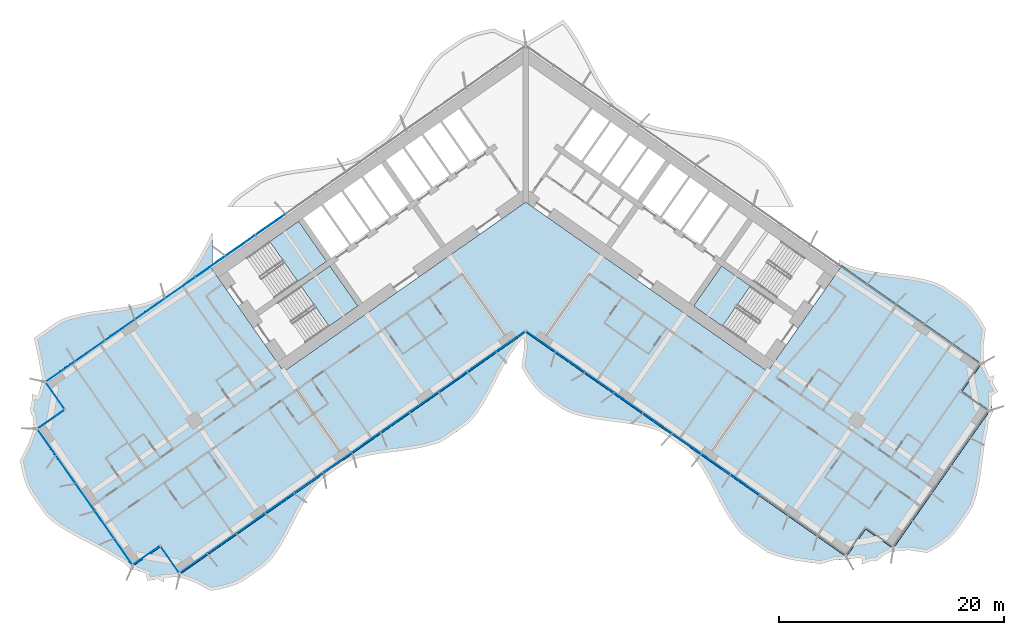
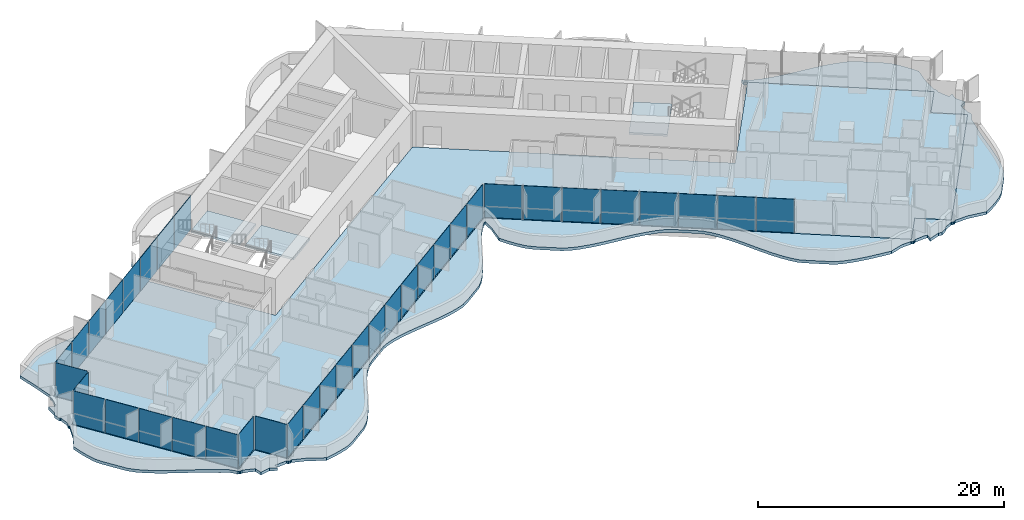
# One storey, part 10 of 23: 37 plates, 5 slabs, 5 elements without a shape of their own.
"""IFC4 building model written with IfcOpenShell, lengths in metres."""

from ifc_helpers import new_model, si_unit, direction, frame, origin, origin_2d, place, context, subcontext, project, spatial, polyline, rectangle, outline, extrude, material, layer, layer_set, type_object, element, aggregate, save


model = new_model("IFC4")

# Units and contexts
model_context = context("Model", 3, precision=1e-05, world=origin(), true_north=direction((0.0, 1.0)))
body_context = subcontext(model_context, "Body", "Model", "MODEL_VIEW")
ifc_project = project(units=[si_unit("LENGTHUNIT", "METRE"), si_unit("AREAUNIT", "SQUARE_METRE"), si_unit("VOLUMEUNIT", "CUBIC_METRE"), si_unit("PLANEANGLEUNIT", "RADIAN"), si_unit("MASSUNIT", "GRAM", prefix="KILO")], contexts=[model_context])

# Site, building, storey
site_placement = place(None, origin())
site = spatial("IfcSite", under=ifc_project, at=site_placement, CompositionType="ELEMENT")
building_placement = place(site_placement, origin())
building = spatial("IfcBuilding", under=site, at=building_placement, Name="Tel Ilan Convention Tower", CompositionType="ELEMENT")
storey_placement = place(building_placement, frame((0.0, 0.0, 83.300048828125)))
storey = spatial("IfcBuildingStorey", under=building, at=storey_placement, Name="L16", CompositionType="ELEMENT", Elevation=83.300048828125)

# Curtain wall, plates
ifc_material_1 = material(Name="Aluminium, bronze anodised", Category="aluminium")
curtain_wall_type_1 = type_object("IfcCurtainWallType", Name="CW1 UNITISED CURTAIN WALL, HOTEL TINTED GLASS", PredefinedType="NOTDEFINED", material=ifc_material_1)
curtain_wall_1_placement = place(storey_placement, origin())
curtain_wall_1 = element("IfcCurtainWall", 1, at=curtain_wall_1_placement, inside=storey, type_object=curtain_wall_type_1, Name="Curtain wall CW1-15.02", PredefinedType="NOTDEFINED")
ifc_material_2 = material(Name="Glass, bronze tinted, two-ply unitised", Category="glass")
ifc_layer_1 = layer(ifc_material_2, 0.028076171875)
ifc_layer_set_1 = layer_set([ifc_layer_1], Name="CW HOTEL GLASS PANEL 28")
plate_type_1 = type_object("IfcPlateType", Name="CW HOTEL GLASS PANEL 28", PredefinedType="CURTAIN_PANEL", material=ifc_layer_set_1)
plate_1_placement = place(storey_placement, frame((-30.765869140625, -8.846435546875, 0.0), z_axis=(0.0, 0.0, 1.0), x_axis=(-0.819152044289, -0.573576436351, 0.0)))
plate_1 = element("IfcPlate", 2, at=plate_1_placement, type_object=plate_type_1, Name="Glass panel", PredefinedType="CURTAIN_PANEL", context=body_context, shape_type="SweptSolid", body=[
    extrude(rectangle(XDim=3.2119140625, YDim=0.028076171875, at=origin_2d()), origin(), (0.0, 0.0, 1.0), 3.320068359375),
])
plate_2_placement = place(storey_placement, frame((-33.446044921875, -10.72314453125, 0.0), z_axis=(0.0, 0.0, 1.0), x_axis=(-0.819152044289, -0.573576436351, 0.0)))
plate_2 = element("IfcPlate", 3, at=plate_2_placement, type_object=plate_type_1, Name="Glass panel", PredefinedType="CURTAIN_PANEL", context=body_context, shape_type="SweptSolid", body=[
    extrude(rectangle(XDim=3.2119140625, YDim=0.028076171875, at=origin_2d()), origin(), (0.0, 0.0, 1.0), 3.320068359375),
])
plate_3_placement = place(storey_placement, frame((-36.12646484375, -12.599853515625, 0.0), z_axis=(0.0, 0.0, 1.0), x_axis=(-0.819152044289, -0.573576436351, 0.0)))
plate_3 = element("IfcPlate", 4, at=plate_3_placement, type_object=plate_type_1, Name="Glass panel", PredefinedType="CURTAIN_PANEL", context=body_context, shape_type="SweptSolid", body=[
    extrude(rectangle(XDim=3.2119140625, YDim=0.028076171875, at=origin_2d()), origin(), (0.0, 0.0, 1.0), 3.320068359375),
])
plate_4_placement = place(storey_placement, frame((-38.806640625, -14.4765625, 0.0), z_axis=(0.0, 0.0, 1.0), x_axis=(-0.819152044289, -0.573576436351, 0.0)))
plate_4 = element("IfcPlate", 5, at=plate_4_placement, type_object=plate_type_1, Name="Glass panel", PredefinedType="CURTAIN_PANEL", context=body_context, shape_type="SweptSolid", body=[
    extrude(rectangle(XDim=3.2119140625, YDim=0.028076171875, at=origin_2d()), origin(), (0.0, 0.0, 1.0), 3.320068359375),
])
plate_5_placement = place(storey_placement, frame((-41.448486328125, -16.326416015625, 0.0), z_axis=(0.0, 0.0, 1.0), x_axis=(-0.819152044289, -0.573576436351, 0.0)))
plate_5 = element("IfcPlate", 6, at=plate_5_placement, type_object=plate_type_1, Name="Glass panel", PredefinedType="CURTAIN_PANEL", context=body_context, shape_type="SweptSolid", body=[
    extrude(rectangle(XDim=3.117919921875, YDim=0.028076171875, at=origin_2d()), origin(), (0.0, 0.0, 1.0), 3.320068359375),
])
plate_6_placement = place(storey_placement, frame((-41.90673828125, -18.431640625, 0.0), z_axis=(0.0, 0.0, 1.0), x_axis=(0.573576436351, -0.819152044289, 0.0)))
plate_6 = element("IfcPlate", 7, at=plate_6_placement, type_object=plate_type_1, Name="Glass panel", PredefinedType="CURTAIN_PANEL", context=body_context, shape_type="SweptSolid", body=[
    extrude(rectangle(XDim=2.875, YDim=0.028076171875, at=origin_2d()), origin(), (0.0, 0.0, 1.0), 3.320068359375),
])
plate_7_placement = place(storey_placement, frame((-42.28466796875, -20.57421875, 0.0), z_axis=(0.0, 0.0, 1.0), x_axis=(-0.819152044289, -0.573576436351, 0.0)))
plate_7 = element("IfcPlate", 8, at=plate_7_placement, type_object=plate_type_1, Name="Glass panel", PredefinedType="CURTAIN_PANEL", context=body_context, shape_type="SweptSolid", body=[
    extrude(rectangle(XDim=2.875, YDim=0.028076171875, at=origin_2d()), origin(), (0.0, 0.0, 1.0), 3.320068359375),
])
plate_8_placement = place(storey_placement, frame((-42.65185546875, -22.597900390625, 0.0), z_axis=(0.0, 0.0, 1.0), x_axis=(0.573576436351, -0.819152044289, 0.0)))
plate_8 = element("IfcPlate", 9, at=plate_8_placement, type_object=plate_type_1, Name="Glass panel", PredefinedType="CURTAIN_PANEL", context=body_context, shape_type="SweptSolid", body=[
    extrude(rectangle(XDim=2.845947265625, YDim=0.028076171875, at=origin_2d()), origin(), (0.0, 0.0, 1.0), 3.320068359375),
])
plate_9_placement = place(storey_placement, frame((-40.9580078125, -25.016845703125, 0.0), z_axis=(0.0, 0.0, 1.0), x_axis=(0.573576436351, -0.819152044289, 0.0)))
plate_9 = element("IfcPlate", 10, at=plate_9_placement, type_object=plate_type_1, Name="Glass panel", PredefinedType="CURTAIN_PANEL", context=body_context, shape_type="SweptSolid", body=[
    extrude(rectangle(XDim=2.93994140625, YDim=0.028076171875, at=origin_2d()), origin(), (0.0, 0.0, 1.0), 3.320068359375),
])
plate_10_placement = place(storey_placement, frame((-39.2373046875, -27.474365234375, 0.0), z_axis=(0.0, 0.0, 1.0), x_axis=(0.573576436351, -0.819152044289, 0.0)))
plate_10 = element("IfcPlate", 11, at=plate_10_placement, type_object=plate_type_1, Name="Glass panel", PredefinedType="CURTAIN_PANEL", context=body_context, shape_type="SweptSolid", body=[
    extrude(rectangle(XDim=2.93994140625, YDim=0.028076171875, at=origin_2d()), origin(), (0.0, 0.0, 1.0), 3.320068359375),
])
plate_11_placement = place(storey_placement, frame((-37.5166015625, -29.931884765625, 0.0), z_axis=(0.0, 0.0, 1.0), x_axis=(0.573576436351, -0.819152044289, 0.0)))
plate_11 = element("IfcPlate", 12, at=plate_11_placement, type_object=plate_type_1, Name="Glass panel", PredefinedType="CURTAIN_PANEL", context=body_context, shape_type="SweptSolid", body=[
    extrude(rectangle(XDim=2.93994140625, YDim=0.028076171875, at=origin_2d()), origin(), (0.0, 0.0, 1.0), 3.320068359375),
])
plate_12_placement = place(storey_placement, frame((-35.822998046875, -32.350830078125, 0.0), z_axis=(0.0, 0.0, 1.0), x_axis=(0.573576436351, -0.819152044289, 0.0)))
plate_12 = element("IfcPlate", 13, at=plate_12_placement, type_object=plate_type_1, Name="Glass panel", PredefinedType="CURTAIN_PANEL", context=body_context, shape_type="SweptSolid", body=[
    extrude(rectangle(XDim=2.845947265625, YDim=0.028076171875, at=origin_2d()), origin(), (0.0, 0.0, 1.0), 3.320068359375),
])
plate_13_placement = place(storey_placement, frame((-33.795654296875, -32.69775390625, 0.0), z_axis=(0.0, 0.0, 1.0), x_axis=(0.819152044289, 0.573576436351, 0.0)))
plate_13 = element("IfcPlate", 14, at=plate_13_placement, type_object=plate_type_1, Name="Glass panel", PredefinedType="CURTAIN_PANEL", context=body_context, shape_type="SweptSolid", body=[
    extrude(rectangle(XDim=2.875, YDim=0.028076171875, at=origin_2d()), origin(), (0.0, 0.0, 1.0), 3.320068359375),
])
plate_14_placement = place(storey_placement, frame((-31.653076171875, -33.07568359375, 0.0), z_axis=(0.0, 0.0, 1.0), x_axis=(0.573576436351, -0.819152044289, 0.0)))
plate_14 = element("IfcPlate", 15, at=plate_14_placement, type_object=plate_type_1, Name="Glass panel", PredefinedType="CURTAIN_PANEL", context=body_context, shape_type="SweptSolid", body=[
    extrude(rectangle(XDim=2.875, YDim=0.028076171875, at=origin_2d()), origin(), (0.0, 0.0, 1.0), 3.320068359375),
])
plate_15_placement = place(storey_placement, frame((-29.5732421875, -33.4033203125, 0.0), z_axis=(0.0, 0.0, 1.0), x_axis=(0.819152044289, 0.573576436351, 0.0)))
plate_15 = element("IfcPlate", 16, at=plate_15_placement, type_object=plate_type_1, Name="Glass panel", PredefinedType="CURTAIN_PANEL", context=body_context, shape_type="SweptSolid", body=[
    extrude(rectangle(XDim=2.9833984375, YDim=0.028076171875, at=origin_2d()), origin(), (0.0, 0.0, 1.0), 3.320068359375),
])
plate_16_placement = place(storey_placement, frame((-27.041748046875, -31.630859375, 0.0), z_axis=(0.0, 0.0, 1.0), x_axis=(0.819152044289, 0.573576436351, 0.0)))
plate_16 = element("IfcPlate", 17, at=plate_16_placement, type_object=plate_type_1, Name="Glass panel", PredefinedType="CURTAIN_PANEL", context=body_context, shape_type="SweptSolid", body=[
    extrude(rectangle(XDim=3.077392578125, YDim=0.028076171875, at=origin_2d()), origin(), (0.0, 0.0, 1.0), 3.320068359375),
])
plate_17_placement = place(storey_placement, frame((-24.4716796875, -29.831298828125, 0.0), z_axis=(0.0, 0.0, 1.0), x_axis=(0.819152044289, 0.573576436351, 0.0)))
plate_17 = element("IfcPlate", 18, at=plate_17_placement, type_object=plate_type_1, Name="Glass panel", PredefinedType="CURTAIN_PANEL", context=body_context, shape_type="SweptSolid", body=[
    extrude(rectangle(XDim=3.077392578125, YDim=0.028076171875, at=origin_2d()), origin(), (0.0, 0.0, 1.0), 3.320068359375),
])
plate_18_placement = place(storey_placement, frame((-21.90185546875, -28.031982421875, 0.0), z_axis=(0.0, 0.0, 1.0), x_axis=(0.819152044289, 0.573576436351, 0.0)))
plate_18 = element("IfcPlate", 19, at=plate_18_placement, type_object=plate_type_1, Name="Glass panel", PredefinedType="CURTAIN_PANEL", context=body_context, shape_type="SweptSolid", body=[
    extrude(rectangle(XDim=3.077392578125, YDim=0.028076171875, at=origin_2d()), origin(), (0.0, 0.0, 1.0), 3.320068359375),
])
plate_19_placement = place(storey_placement, frame((-19.33203125, -26.232421875, 0.0), z_axis=(0.0, 0.0, 1.0), x_axis=(0.819152044289, 0.573576436351, 0.0)))
plate_19 = element("IfcPlate", 20, at=plate_19_placement, type_object=plate_type_1, Name="Glass panel", PredefinedType="CURTAIN_PANEL", context=body_context, shape_type="SweptSolid", body=[
    extrude(rectangle(XDim=3.077392578125, YDim=0.028076171875, at=origin_2d()), origin(), (0.0, 0.0, 1.0), 3.320068359375),
])
plate_20_placement = place(storey_placement, frame((-16.761962890625, -24.432861328125, 0.0), z_axis=(0.0, 0.0, 1.0), x_axis=(0.819152044289, 0.573576436351, 0.0)))
plate_20 = element("IfcPlate", 21, at=plate_20_placement, type_object=plate_type_1, Name="Glass panel", PredefinedType="CURTAIN_PANEL", context=body_context, shape_type="SweptSolid", body=[
    extrude(rectangle(XDim=3.077392578125, YDim=0.028076171875, at=origin_2d()), origin(), (0.0, 0.0, 1.0), 3.320068359375),
])
plate_21_placement = place(storey_placement, frame((-14.192138671875, -22.633544921875, 0.0), z_axis=(0.0, 0.0, 1.0), x_axis=(0.819152044289, 0.573576436351, 0.0)))
plate_21 = element("IfcPlate", 22, at=plate_21_placement, type_object=plate_type_1, Name="Glass panel", PredefinedType="CURTAIN_PANEL", context=body_context, shape_type="SweptSolid", body=[
    extrude(rectangle(XDim=3.077392578125, YDim=0.028076171875, at=origin_2d()), origin(), (0.0, 0.0, 1.0), 3.320068359375),
])
plate_22_placement = place(storey_placement, frame((-11.6220703125, -20.833984375, 0.0), z_axis=(0.0, 0.0, 1.0), x_axis=(0.819152044289, 0.573576436351, 0.0)))
plate_22 = element("IfcPlate", 23, at=plate_22_placement, type_object=plate_type_1, Name="Glass panel", PredefinedType="CURTAIN_PANEL", context=body_context, shape_type="SweptSolid", body=[
    extrude(rectangle(XDim=3.077392578125, YDim=0.028076171875, at=origin_2d()), origin(), (0.0, 0.0, 1.0), 3.320068359375),
])
plate_23_placement = place(storey_placement, frame((-9.05224609375, -19.034423828125, 0.0), z_axis=(0.0, 0.0, 1.0), x_axis=(0.819152044289, 0.573576436351, 0.0)))
plate_23 = element("IfcPlate", 24, at=plate_23_placement, type_object=plate_type_1, Name="Glass panel", PredefinedType="CURTAIN_PANEL", context=body_context, shape_type="SweptSolid", body=[
    extrude(rectangle(XDim=3.077392578125, YDim=0.028076171875, at=origin_2d()), origin(), (0.0, 0.0, 1.0), 3.320068359375),
])
plate_24_placement = place(storey_placement, frame((-6.482177734375, -17.23486328125, 0.0), z_axis=(0.0, 0.0, 1.0), x_axis=(0.819152044289, 0.573576436351, 0.0)))
plate_24 = element("IfcPlate", 25, at=plate_24_placement, type_object=plate_type_1, Name="Glass panel", PredefinedType="CURTAIN_PANEL", context=body_context, shape_type="SweptSolid", body=[
    extrude(rectangle(XDim=3.077392578125, YDim=0.028076171875, at=origin_2d()), origin(), (0.0, 0.0, 1.0), 3.320068359375),
])
plate_25_placement = place(storey_placement, frame((-3.912353515625, -15.435546875, 0.0), z_axis=(0.0, 0.0, 1.0), x_axis=(0.819152044289, 0.573576436351, 0.0)))
plate_25 = element("IfcPlate", 26, at=plate_25_placement, type_object=plate_type_1, Name="Glass panel", PredefinedType="CURTAIN_PANEL", context=body_context, shape_type="SweptSolid", body=[
    extrude(rectangle(XDim=3.077392578125, YDim=0.028076171875, at=origin_2d()), origin(), (0.0, 0.0, 1.0), 3.320068359375),
])
plate_26_placement = place(storey_placement, frame((-1.3427734375, -13.63623046875, 0.0), z_axis=(0.0, 0.0, 1.0), x_axis=(0.819152044289, 0.573576436351, 0.0)))
plate_26 = element("IfcPlate", 27, at=plate_26_placement, type_object=plate_type_1, Name="Glass panel", PredefinedType="CURTAIN_PANEL", context=body_context, shape_type="SweptSolid", body=[
    extrude(rectangle(XDim=3.076416015625, YDim=0.028076171875, at=origin_2d()), origin(), (0.0, 0.0, 1.0), 3.320068359375),
])
plate_27_placement = place(storey_placement, frame((1.366943359375, -13.653076171875, 0.0), z_axis=(0.0, 0.0, 1.0), x_axis=(0.819152044289, -0.573576436351, 0.0)))
plate_27 = element("IfcPlate", 28, at=plate_27_placement, type_object=plate_type_1, Name="Glass panel", PredefinedType="CURTAIN_PANEL", context=body_context, shape_type="SweptSolid", body=[
    extrude(rectangle(XDim=3.078857421875, YDim=0.028076171875, at=origin_2d()), origin(), (0.0, 0.0, 1.0), 3.320068359375),
])
plate_28_placement = place(storey_placement, frame((3.949951171875, -15.4619140625, 0.0), z_axis=(0.0, 0.0, 1.0), x_axis=(0.819152044289, -0.573576436351, 0.0)))
plate_28 = element("IfcPlate", 29, at=plate_28_placement, type_object=plate_type_1, Name="Glass panel", PredefinedType="CURTAIN_PANEL", context=body_context, shape_type="SweptSolid", body=[
    extrude(rectangle(XDim=3.10791015625, YDim=0.028076171875, at=origin_2d()), origin(), (0.0, 0.0, 1.0), 3.320068359375),
])
plate_29_placement = place(storey_placement, frame((6.544921875, -17.27880859375, 0.0), z_axis=(0.0, 0.0, 1.0), x_axis=(0.819152044289, -0.573576436351, 0.0)))
plate_29 = element("IfcPlate", 30, at=plate_29_placement, type_object=plate_type_1, Name="Glass panel", PredefinedType="CURTAIN_PANEL", context=body_context, shape_type="SweptSolid", body=[
    extrude(rectangle(XDim=3.10791015625, YDim=0.028076171875, at=origin_2d()), origin(), (0.0, 0.0, 1.0), 3.320068359375),
])
plate_30_placement = place(storey_placement, frame((9.14013671875, -19.095947265625, 0.0), z_axis=(0.0, 0.0, 1.0), x_axis=(0.819152044289, -0.573576436351, 0.0)))
plate_30 = element("IfcPlate", 31, at=plate_30_placement, type_object=plate_type_1, Name="Glass panel", PredefinedType="CURTAIN_PANEL", context=body_context, shape_type="SweptSolid", body=[
    extrude(rectangle(XDim=3.10791015625, YDim=0.028076171875, at=origin_2d()), origin(), (0.0, 0.0, 1.0), 3.320068359375),
])
plate_31_placement = place(storey_placement, frame((11.735107421875, -20.9130859375, 0.0), z_axis=(0.0, 0.0, 1.0), x_axis=(0.819152044289, -0.573576436351, 0.0)))
plate_31 = element("IfcPlate", 32, at=plate_31_placement, type_object=plate_type_1, Name="Glass panel", PredefinedType="CURTAIN_PANEL", context=body_context, shape_type="SweptSolid", body=[
    extrude(rectangle(XDim=3.10791015625, YDim=0.028076171875, at=origin_2d()), origin(), (0.0, 0.0, 1.0), 3.320068359375),
])
plate_32_placement = place(storey_placement, frame((14.330078125, -22.730224609375, 0.0), z_axis=(0.0, 0.0, 1.0), x_axis=(0.819152044289, -0.573576436351, 0.0)))
plate_32 = element("IfcPlate", 33, at=plate_32_placement, type_object=plate_type_1, Name="Glass panel", PredefinedType="CURTAIN_PANEL", context=body_context, shape_type="SweptSolid", body=[
    extrude(rectangle(XDim=3.10791015625, YDim=0.028076171875, at=origin_2d()), origin(), (0.0, 0.0, 1.0), 3.320068359375),
])
plate_33_placement = place(storey_placement, frame((16.92529296875, -24.54736328125, 0.0), z_axis=(0.0, 0.0, 1.0), x_axis=(0.819152044289, -0.573576436351, 0.0)))
plate_33 = element("IfcPlate", 34, at=plate_33_placement, type_object=plate_type_1, Name="Glass panel", PredefinedType="CURTAIN_PANEL", context=body_context, shape_type="SweptSolid", body=[
    extrude(rectangle(XDim=3.10791015625, YDim=0.028076171875, at=origin_2d()), origin(), (0.0, 0.0, 1.0), 3.320068359375),
])
plate_34_placement = place(storey_placement, frame((19.520263671875, -26.3642578125, 0.0), z_axis=(0.0, 0.0, 1.0), x_axis=(0.819152044289, -0.573576436351, 0.0)))
plate_34 = element("IfcPlate", 35, at=plate_34_placement, type_object=plate_type_1, Name="Glass panel", PredefinedType="CURTAIN_PANEL", context=body_context, shape_type="SweptSolid", body=[
    extrude(rectangle(XDim=3.10791015625, YDim=0.028076171875, at=origin_2d()), origin(), (0.0, 0.0, 1.0), 3.320068359375),
])
aggregate(curtain_wall_1, [plate_1, plate_2, plate_3, plate_4, plate_5, plate_6, plate_7, plate_8, plate_9, plate_10, plate_11, plate_12, plate_13, plate_14, plate_15, plate_16, plate_17, plate_18, plate_19, plate_20, plate_21, plate_22, plate_23, plate_24, plate_25, plate_26, plate_27, plate_28, plate_29, plate_30, plate_31, plate_32, plate_33, plate_34])

ifc_material_3 = material(Name="Aluminium, bronze anodised", Category="aluminium")
curtain_wall_type_2 = type_object("IfcCurtainWallType", Name="CW2 STICK CURTAIN WALL, SPANDREL PANELS", PredefinedType="NOTDEFINED", material=ifc_material_3)
curtain_wall_2_placement = place(storey_placement, origin())
curtain_wall_2 = element("IfcCurtainWall", 36, at=curtain_wall_2_placement, inside=storey, type_object=curtain_wall_type_2, Name="Curtain wall CW2-15.01", PredefinedType="NOTDEFINED")
ifc_material_4 = material(Name="Aluminium composite panel, bronze anodised", Category="aluminium")
ifc_layer_2 = layer(ifc_material_4, 0.06005859375)
ifc_layer_set_2 = layer_set([ifc_layer_2], Name="CW SPANDREL PANEL 60")
plate_type_2 = type_object("IfcPlateType", Name="CW SPANDREL PANEL 60", PredefinedType="CURTAIN_PANEL", material=ifc_layer_set_2)
plate_35_placement = place(storey_placement, frame((-22.72509765625, -3.216064453125, 0.0), z_axis=(0.0, 0.0, 1.0), x_axis=(-0.819152044289, -0.573576436351, 0.0)))
plate_35 = element("IfcPlate", 37, at=plate_35_placement, type_object=plate_type_2, Name="Spandrel panel", PredefinedType="CURTAIN_PANEL", context=body_context, shape_type="SweptSolid", body=[
    extrude(rectangle(XDim=3.2119140625, YDim=0.06005859375, at=origin_2d()), origin(), (0.0, 0.0, 1.0), 3.320068359375),
])
plate_36_placement = place(storey_placement, frame((-25.4052734375, -5.0927734375, 0.0), z_axis=(0.0, 0.0, 1.0), x_axis=(-0.819152044289, -0.573576436351, 0.0)))
plate_36 = element("IfcPlate", 38, at=plate_36_placement, type_object=plate_type_2, Name="Spandrel panel", PredefinedType="CURTAIN_PANEL", context=body_context, shape_type="SweptSolid", body=[
    extrude(rectangle(XDim=3.2119140625, YDim=0.06005859375, at=origin_2d()), origin(), (0.0, 0.0, 1.0), 3.320068359375),
])
plate_37_placement = place(storey_placement, frame((-28.08544921875, -6.9697265625, 0.0), z_axis=(0.0, 0.0, 1.0), x_axis=(-0.819152044289, -0.573576436351, 0.0)))
plate_37 = element("IfcPlate", 39, at=plate_37_placement, type_object=plate_type_2, Name="Spandrel panel", PredefinedType="CURTAIN_PANEL", context=body_context, shape_type="SweptSolid", body=[
    extrude(rectangle(XDim=3.2119140625, YDim=0.06005859375, at=origin_2d()), origin(), (0.0, 0.0, 1.0), 3.320068359375),
])
aggregate(curtain_wall_2, [plate_35, plate_36, plate_37])

# Stair, slab
ifc_material_5 = material(Name="Concrete C40/50", Category="concrete")
stair_type = type_object("IfcStairType", Name="Pressurised Exit Stair 20 risers 180 mm", PredefinedType="HALF_TURN_STAIR", material=ifc_material_5)
stair_1_placement = place(storey_placement, origin())
stair_1 = element("IfcStair", 40, at=stair_1_placement, inside=storey, type_object=stair_type, Name="L16 Pressurised Stair S1", PredefinedType="HALF_TURN_STAIR")
ifc_material_6 = material(Name="Concrete C40/50", Category="concrete")
ifc_layer_3 = layer(ifc_material_6, 0.199951171875)
ifc_layer_set_3 = layer_set([ifc_layer_3], Name="Concrete Stair Landing 200 mm C40/50")
slab_type_1 = type_object("IfcSlabType", Name="Concrete Stair Landing 200 mm", PredefinedType="LANDING", material=ifc_layer_set_3)
slab_1_placement = place(storey_placement, frame((0.0, 0.0, 1.599853515625)))
slab_1 = element("IfcSlab", 41, at=slab_1_placement, type_object=slab_type_1, Name="S1 landing 1", PredefinedType="LANDING", context=body_context, shape_type="SweptSolid", body=[
    extrude(outline(polyline([(-20.2958984375, -8.29052734375), (-17.7314453125, -6.494873046875), (-20.226318359375, -2.931640625), (-22.791015625, -4.727294921875), (-20.2958984375, -8.29052734375)])), origin(), (0.0, 0.0, 1.0), 0.2001953125),
])
aggregate(stair_1, [slab_1])

stair_2_placement = place(storey_placement, origin())
stair_2 = element("IfcStair", 42, at=stair_2_placement, inside=storey, type_object=stair_type, Name="L16 Pressurised Stair S2", PredefinedType="HALF_TURN_STAIR")
slab_2_placement = place(storey_placement, frame((0.0, 0.0, 1.599853515625)))
slab_2 = element("IfcSlab", 43, at=slab_2_placement, type_object=slab_type_1, Name="S2 landing 1", PredefinedType="LANDING", context=body_context, shape_type="SweptSolid", body=[
    extrude(outline(polyline([(-17.51416015625, -12.263427734375), (-14.949462890625, -10.4677734375), (-17.444580078125, -6.904541015625), (-20.00927734375, -8.7001953125), (-17.51416015625, -12.263427734375)])), origin(), (0.0, 0.0, 1.0), 0.2001953125),
])
aggregate(stair_2, [slab_2])

stair_3_placement = place(storey_placement, origin())
stair_3 = element("IfcStair", 44, at=stair_3_placement, inside=storey, type_object=stair_type, Name="L16 Pressurised Stair S4", PredefinedType="HALF_TURN_STAIR")
slab_3_placement = place(storey_placement, frame((0.0, 0.0, 1.599853515625)))
slab_3 = element("IfcSlab", 45, at=slab_3_placement, type_object=slab_type_1, Name="S4 landing 1", PredefinedType="LANDING", context=body_context, shape_type="SweptSolid", body=[
    extrude(outline(polyline([(20.00927734375, -8.7001953125), (17.444580078125, -6.904541015625), (14.949462890625, -10.4677734375), (17.51416015625, -12.263427734375), (20.00927734375, -8.7001953125)])), origin(), (0.0, 0.0, 1.0), 0.2001953125),
])
aggregate(stair_3, [slab_3])

# Slabs
ifc_material_7 = material(Name="Concrete C40/50", Category="concrete")
ifc_layer_4 = layer(ifc_material_7, 0.280029296875)
ifc_layer_set_4 = layer_set([ifc_layer_4], Name="Edge Ledge Slab 280 mm C40/50")
slab_type_2 = type_object("IfcSlabType", Name="Edge Ledge Slab 280 mm C40/50", PredefinedType="FLOOR", material=ifc_layer_set_4)
slab_4_placement = place(storey_placement, frame((0.0, 0.0, -0.280029296875)))
element("IfcSlab", 46, at=slab_4_placement, inside=storey, type_object=slab_type_2, Name="L16 edge ledge 1", PredefinedType="FLOOR", context=body_context, shape_type="SweptSolid", body=[
    extrude(outline(polyline([(-32.20068359375, -35.082763671875), (-32.80029296875, -34.77490234375), (-33.688720703125, -34.9423828125), (-33.821533203125, -34.302734375), (-33.810546875, -34.284912109375), (-34.845458984375, -33.921142578125), (-34.8486328125, -33.91650390625), (-34.902587890625, -33.952392578125), (-35.017578125, -33.975341796875), (-35.13232421875, -33.952392578125), (-35.2294921875, -33.887451171875), (-35.258544921875, -33.843994140625), (-35.26318359375, -33.847412109375), (-35.783203125, -33.2958984375), (-36.523681640625, -32.89892578125), (-37.22021484375, -32.470703125), (-37.94970703125, -32.066162109375), (-38.698486328125, -31.6748046875), (-39.452392578125, -31.287353515625), (-40.196533203125, -30.892578125), (-40.91650390625, -30.481201171875), (-41.59912109375, -30.04345703125), (-42.232421875, -29.571533203125), (-42.7802734375, -29.03955078125), (-44.07080078125, -27.1962890625), (-44.438720703125, -26.538330078125), (-44.68408203125, -25.794677734375), (-44.876953125, -25.01416015625), (-45.028564453125, -24.20458984375), (-44.2939453125, -22.77490234375), (-43.866943359375, -21.56005859375), (-43.8623046875, -21.556884765625), (-43.898193359375, -21.502685546875), (-43.921142578125, -21.387939453125), (-43.898193359375, -21.273193359375), (-43.833251953125, -21.17578125), (-43.789794921875, -21.14697265625), (-43.793212890625, -21.142333984375), (-43.909912109375, -20.177978515625), (-44.01318359375, -20.197509765625), (-44.14599609375, -19.55810546875), (-43.9833984375, -19.29150390625), (-43.980224609375, -18.259765625), (-43.50390625, -18.504638671875), (-43.3671875, -18.2802734375), (-43.130126953125, -17.3818359375), (-43.12548828125, -17.378662109375), (-43.16162109375, -17.32470703125), (-43.184326171875, -17.209716796875), (-43.16162109375, -17.094970703125), (-43.096435546875, -16.997802734375), (-43.05322265625, -16.96875), (-43.056396484375, -16.964111328125), (-43.364990234375, -15.219482421875), (-43.78125, -13.321044921875), (-43.168701171875, -12.89208984375), (-41.943603515625, -12.0341796875), (-41.30322265625, -11.64453125), (-40.56787109375, -11.390869140625), (-39.794921875, -11.19091796875), (-38.99169921875, -11.033935546875), (-38.1669921875, -10.90771484375), (-37.33056640625, -10.798583984375), (-36.4921875, -10.69189453125), (-35.66259765625, -10.572998046875), (-34.851318359375, -10.427734375), (-34.067138671875, -10.243408203125), (-33.318603515625, -10.0087890625), (-32.6416015625, -9.671630859375), (-30.8037109375, -8.384765625), (-30.250244140625, -7.87109375), (-29.772216796875, -7.250244140625), (-29.329345703125, -6.57861328125), (-28.91455078125, -5.8671875), (-28.518310546875, -5.129150390625), (-28.131103515625, -4.378173828125), (-27.875, -3.883544921875), (-27.875, -6.7001953125), (-42.884521484375, -17.209716796875), (-41.163818359375, -19.667236328125), (-43.62109375, -21.387939453125), (-35.017578125, -33.67529296875), (-32.56005859375, -31.95458984375), (-30.83935546875, -34.412109375), (0.0, -12.818115234375), (28.545654296875, -32.805908203125), (30.266357421875, -30.3486328125), (32.723876953125, -32.0693359375), (41.327392578125, -19.781982421875), (38.8701171875, -18.061279296875), (40.5908203125, -15.603759765625), (27.875, -6.7001953125), (27.875, -6.333740234375), (28.040283203125, -6.44970703125), (28.68408203125, -6.820068359375), (29.414794921875, -7.0654296875), (30.181884765625, -7.259521484375), (30.97802734375, -7.412109375), (31.79443359375, -7.535400390625), (32.6220703125, -7.64306640625), (33.450927734375, -7.748779296875), (34.27099609375, -7.86669921875), (35.072998046875, -8.0107421875), (35.84814453125, -8.193115234375), (36.5888671875, -8.4248046875), (37.260498046875, -8.755126953125), (39.077880859375, -10.027587890625), (39.63232421875, -10.525390625), (40.108154296875, -11.13525390625), (40.548583984375, -11.795654296875), (40.96044921875, -12.496826171875), (40.743408203125, -14.096435546875), (40.7626953125, -15.358154296875), (40.759521484375, -15.36279296875), (40.802978515625, -15.3916015625), (40.867919921875, -15.489013671875), (40.890869140625, -15.603759765625), (40.867919921875, -15.718505859375), (40.831787109375, -15.772705078125), (40.83642578125, -15.77587890625), (41.29638671875, -16.79443359375), (41.686767578125, -16.65380859375), (41.602294921875, -17.322509765625), (42.063720703125, -18.10009765625), (41.508056640625, -18.443603515625), (41.487548828125, -18.439453125), (41.49951171875, -19.536376953125), (41.496337890625, -19.541015625), (41.53955078125, -19.56982421875), (41.604736328125, -19.667236328125), (41.62744140625, -19.781982421875), (41.604736328125, -19.896728515625), (41.568603515625, -19.95068359375), (41.5732421875, -19.9541015625), (41.24267578125, -20.594482421875), (41.12841796875, -21.386474609375), (40.97021484375, -22.147705078125), (40.841064453125, -22.929443359375), (40.732421875, -23.72509765625), (40.631103515625, -24.5263671875), (40.52490234375, -25.323974609375), (40.40087890625, -26.10888671875), (40.247314453125, -26.87353515625), (40.0537109375, -27.60986328125), (39.810791015625, -28.311767578125), (39.44189453125, -28.925537109375), (38.212890625, -30.680908203125), (37.701904296875, -31.195068359375), (37.104736328125, -31.64892578125), (36.4619140625, -32.07080078125), (35.769775390625, -32.4580078125), (34.16845703125, -32.208740234375), (32.969482421875, -32.241455078125), (32.96484375, -32.238037109375), (32.93603515625, -32.281494140625), (32.838623046875, -32.346435546875), (32.723876953125, -32.369384765625), (32.60888671875, -32.346435546875), (32.554931640625, -32.310302734375), (32.5517578125, -32.31494140625), (31.685546875, -32.75439453125), (31.7392578125, -32.8447265625), (31.18359375, -33.188232421875), (30.877685546875, -33.126708984375), (29.9072265625, -33.476806640625), (29.97412109375, -32.9453125), (29.716796875, -32.8935546875), (28.79150390625, -32.97802734375), (28.78662109375, -32.974853515625), (28.7578125, -33.018310546875), (28.660400390625, -33.083251953125), (28.545654296875, -33.10595703125), (28.430908203125, -33.083251953125), (28.376953125, -33.047119140625), (28.37353515625, -33.0517578125), (27.44921875, -33.079345703125), (26.29443359375, -33.435546875), (25.462646484375, -33.3310546875), (24.635986328125, -33.218994140625), (23.824462890625, -33.08544921875), (23.03662109375, -32.91748046875), (22.281005859375, -32.7041015625), (21.564697265625, -32.434814453125), (19.742431640625, -31.158935546875), (19.1513671875, -30.71044921875), (18.660888671875, -30.1181640625), (18.2080078125, -29.47216796875), (17.785888671875, -28.782470703125), (17.38623046875, -28.060546875), (16.999755859375, -27.31982421875), (16.61669921875, -26.574462890625), (16.2265625, -25.838623046875), (15.8203125, -25.12646484375), (15.388427734375, -24.450439453125), (14.92333984375, -23.822021484375), (14.404296875, -23.2705078125), (12.58251953125, -21.99462890625), (11.9423828125, -21.61572265625), (11.211669921875, -21.366943359375), (10.444091796875, -21.17041015625), (9.647216796875, -21.015625), (8.829345703125, -20.89111328125), (8.0, -20.782958984375), (7.1689453125, -20.677001953125), (6.34619140625, -20.559326171875), (5.54150390625, -20.416015625), (4.763427734375, -20.234375), (4.02001953125, -20.003662109375), (3.343994140625, -19.676513671875), (1.52197265625, -18.400634765625), (0.964599609375, -17.90380859375), (0.4873046875, -17.293212890625), (0.04541015625, -16.631591796875), (-0.367919921875, -15.928955078125), (-0.153564453125, -14.330078125), (-0.16845703125, -13.315185546875), (-0.422119140625, -13.502197265625), (-0.897216796875, -14.110595703125), (-1.346435546875, -14.75634765625), (-1.765380859375, -15.44482421875), (-2.16259765625, -16.16455078125), (-2.547119140625, -16.90234375), (-2.9287109375, -17.644287109375), (-3.3173828125, -18.37646484375), (-3.722412109375, -19.0849609375), (-4.15283203125, -19.757080078125), (-4.616455078125, -20.38232421875), (-5.134033203125, -20.929931640625), (-6.947998046875, -22.2001953125), (-7.584228515625, -22.57861328125), (-8.311279296875, -22.8271484375), (-9.074951171875, -23.023681640625), (-9.867919921875, -23.178466796875), (-10.681640625, -23.30322265625), (-11.507080078125, -23.4111328125), (-12.334716796875, -23.516357421875), (-13.154296875, -23.6328125), (-13.95654296875, -23.774169921875), (-14.732666015625, -23.952880859375), (-15.474853515625, -24.1796875), (-16.154541015625, -24.495849609375), (-17.364013671875, -25.3427734375), (-17.96875, -25.76611328125), (-18.531494140625, -26.249267578125), (-19.010009765625, -26.85302734375), (-19.45263671875, -27.5078125), (-19.86669921875, -28.20361328125), (-20.2607421875, -28.927978515625), (-20.643798828125, -29.66748046875), (-21.02587890625, -30.40869140625), (-21.4169921875, -31.13720703125), (-21.826416015625, -31.839599609375), (-22.262939453125, -32.50341796875), (-22.733642578125, -33.117919921875), (-23.27490234375, -33.632080078125), (-25.0888671875, -34.90234375), (-25.74609375, -35.2509765625), (-26.48095703125, -35.488525390625), (-27.250732421875, -35.676025390625), (-28.049560546875, -35.822265625), (-29.47802734375, -35.069091796875), (-30.667236328125, -34.65771484375), (-30.67041015625, -34.653076171875), (-30.724609375, -34.689208984375), (-30.83935546875, -34.7119140625), (-30.9541015625, -34.689208984375), (-31.051513671875, -34.624267578125), (-31.080322265625, -34.580810546875), (-31.0849609375, -34.583984375), (-32.199462890625, -34.66796875), (-32.20068359375, -35.082763671875)])), origin(), (0.0, 0.0, 1.0), 0.280029296875),
])
ifc_material_8 = material(Name="Concrete C40/50", Category="concrete")
ifc_layer_5 = layer(ifc_material_8, 0.280029296875)
ifc_layer_set_5 = layer_set([ifc_layer_5], Name="Flat Plate Floor Slab 280 mm C40/50")
slab_type_3 = type_object("IfcSlabType", Name="Flat Plate Floor Slab 280 mm C40/50", PredefinedType="FLOOR", material=ifc_layer_set_5)
slab_5_placement = place(storey_placement, frame((0.0, 0.0, -0.280029296875)))
element("IfcSlab", 47, at=slab_5_placement, inside=storey, type_object=slab_type_3, Name="L16 floor slab", PredefinedType="FLOOR", context=body_context, shape_type="SweptSolid", body=[
    extrude(outline(polyline([(21.54345703125, -16.3056640625), (28.1396484375, -6.885498046875), (40.5908203125, -15.603759765625), (38.8701171875, -18.061279296875), (41.327392578125, -19.781982421875), (32.723876953125, -32.0693359375), (30.266357421875, -30.3486328125), (28.545654296875, -32.805908203125), (0.0, -12.818115234375), (-30.83935546875, -34.412109375), (-32.56005859375, -31.95458984375), (-35.017578125, -33.67529296875), (-43.62109375, -21.387939453125), (-41.163818359375, -19.667236328125), (-42.884521484375, -17.209716796875), (-28.1396484375, -6.885498046875), (-21.54345703125, -16.3056640625), (0.0, -1.220703125), (21.54345703125, -16.3056640625)])), origin(), (0.0, 0.0, 1.0), 0.280029296875),
])

save(model, "model.ifc")
